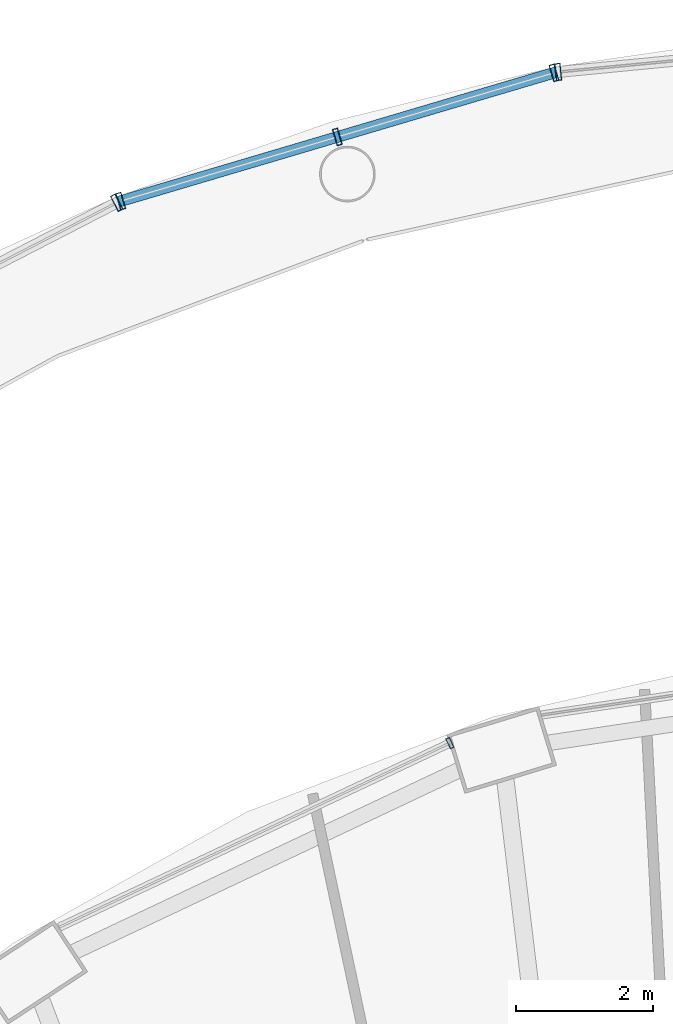
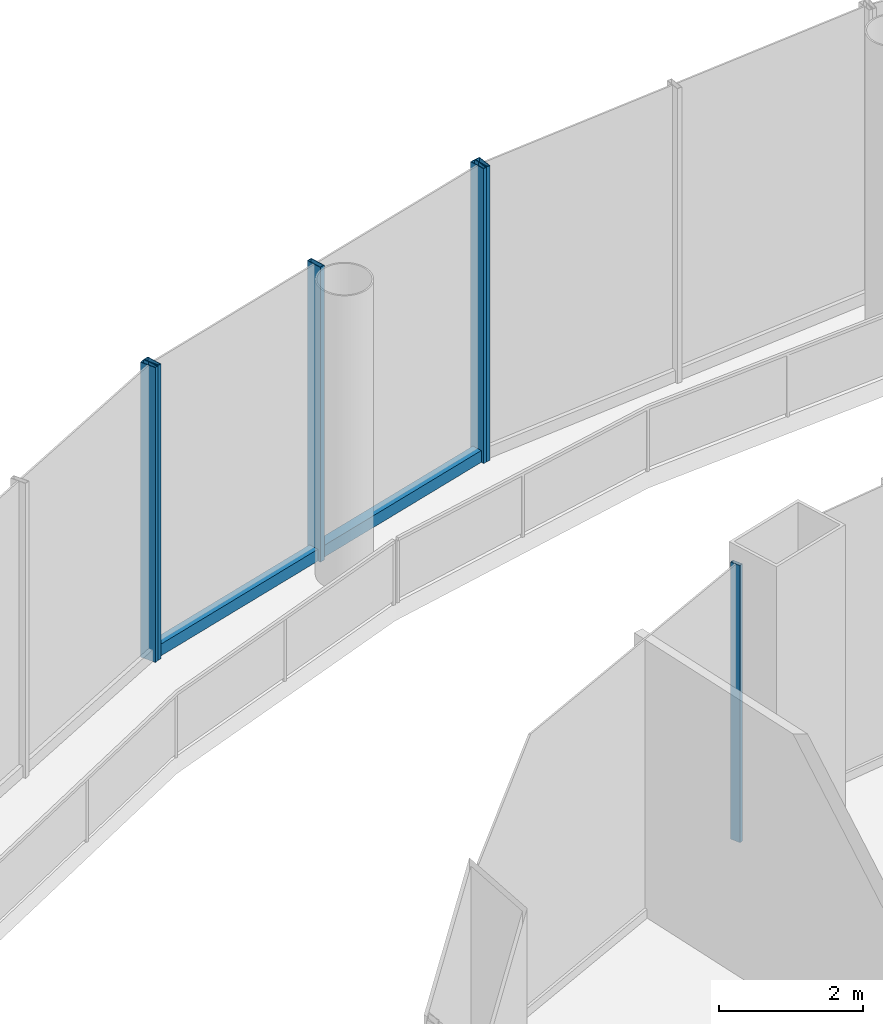
# One storey, part 32 of 47: 7 members, 4 elements without a shape of their own.
"""IFC4 building model written with IfcOpenShell, lengths in metres."""

from ifc_helpers import new_model, si_unit, direction, frame, origin, origin_2d, place, context, subcontext, project, spatial, hollow_rectangle, extrude, material, layer, layer_set, material_profile, profile_set, type_object, element, aggregate, save


model = new_model("IFC4")

# Units and contexts
model_context = context("Model", 3, precision=1e-05, world=origin(), true_north=direction((0.0, 1.0)))
body_context = subcontext(model_context, "Body", "Model", "MODEL_VIEW")
ifc_project = project(units=[si_unit("LENGTHUNIT", "METRE"), si_unit("AREAUNIT", "SQUARE_METRE"), si_unit("VOLUMEUNIT", "CUBIC_METRE"), si_unit("PLANEANGLEUNIT", "RADIAN"), si_unit("MASSUNIT", "GRAM", prefix="KILO")], contexts=[model_context])

# Site, building, storey
site_placement = place(None, origin())
site = spatial("IfcSite", under=ifc_project, at=site_placement, CompositionType="ELEMENT")
building_placement = place(site_placement, origin())
building = spatial("IfcBuilding", under=site, at=building_placement, Name="Nagisa Residences", CompositionType="ELEMENT")
storey_placement = place(building_placement, frame((0.0, 0.0, 7.0)))
storey = spatial("IfcBuildingStorey", under=building, at=storey_placement, Name="L01", CompositionType="ELEMENT", Elevation=7.0)

# Curtain wall, member
ifc_material_1 = material(Name="Stainless steel curtain wall system", Category="steel")
ifc_layer_1 = layer(ifc_material_1, 0.159912109375)
ifc_layer_set_1 = layer_set([ifc_layer_1], Name="CW3 CURTAIN WALL")
curtain_wall_type_1 = type_object("IfcCurtainWallType", Name="CW3 CURTAIN WALL", PredefinedType="NOTDEFINED", material=ifc_layer_set_1)
curtain_wall_1_placement = place(storey_placement, origin())
curtain_wall_1 = element("IfcCurtainWall", 1, at=curtain_wall_1_placement, inside=storey, type_object=curtain_wall_type_1, Name="cw:CW3:L01:09", PredefinedType="NOTDEFINED")
ifc_material_2 = material(Name="Stainless steel", Category="steel")
ifc_material_profile_1 = material_profile(ifc_material_2, hollow_rectangle(XDim=0.25, YDim=0.080078125, WallThickness=0.008056640625, at=origin_2d()), Name="CW3 MULLION 250x80")
ifc_profile_set_1 = profile_set([ifc_material_profile_1], Name="Stainless steel")
member_type_1 = type_object("IfcMemberType", Name="CW3 MULLION 250x80", PredefinedType="MULLION", material=ifc_profile_set_1)
member_1_placement = place(storey_placement, frame((-2.951171875, 41.2861328125, 0.0), z_axis=(0.0, 0.0, 1.0), x_axis=(0.096249055035, -0.995357282289, 0.0)))
member_1 = element("IfcMember", 2, at=member_1_placement, type_object=member_type_1, Name="CW3 mullion", PredefinedType="MULLION", context=body_context, shape_type="SweptSolid", body=[
    extrude(hollow_rectangle(XDim=0.25, YDim=0.080078125, WallThickness=0.008056640625, at=origin_2d()), origin(), (0.0, 0.0, 1.0), 5.0),
])
aggregate(curtain_wall_1, [member_1])

# Curtain wall, members
curtain_wall_2_placement = place(storey_placement, origin())
curtain_wall_2 = element("IfcCurtainWall", 3, at=curtain_wall_2_placement, inside=storey, type_object=curtain_wall_type_1, Name="cw:CW3:L01:10", PredefinedType="NOTDEFINED")
member_2_placement = place(storey_placement, frame((-3.01416015625, 41.27392578125, 0.0), z_axis=(0.0, 0.0, 1.0), x_axis=(0.283963226669, -0.958835171393, 0.0)))
member_2 = element("IfcMember", 4, at=member_2_placement, type_object=member_type_1, Name="CW3 mullion", PredefinedType="MULLION", context=body_context, shape_type="SweptSolid", body=[
    extrude(hollow_rectangle(XDim=0.25, YDim=0.080078125, WallThickness=0.008056640625, at=origin_2d()), origin(), (0.0, 0.0, 1.0), 5.0),
])
member_3_placement = place(storey_placement, frame((-6.175048828125, 40.337890625, 0.0), z_axis=(0.0, 0.0, 1.0), x_axis=(0.283963226669, -0.958835171393, 0.0)))
member_3 = element("IfcMember", 5, at=member_3_placement, type_object=member_type_1, Name="CW3 mullion", PredefinedType="MULLION", context=body_context, shape_type="SweptSolid", body=[
    extrude(hollow_rectangle(XDim=0.25, YDim=0.080078125, WallThickness=0.008056640625, at=origin_2d()), origin(), (0.0, 0.0, 1.0), 5.0),
])
member_4_placement = place(storey_placement, frame((-9.335693359375, 39.40185546875, 0.0), z_axis=(0.0, 0.0, 1.0), x_axis=(0.283963226669, -0.958835171393, 0.0)))
member_4 = element("IfcMember", 6, at=member_4_placement, type_object=member_type_1, Name="CW3 mullion", PredefinedType="MULLION", context=body_context, shape_type="SweptSolid", body=[
    extrude(hollow_rectangle(XDim=0.25, YDim=0.080078125, WallThickness=0.008056640625, at=origin_2d()), origin(), (0.0, 0.0, 1.0), 5.0),
])

# Curtain wall, member
curtain_wall_3_placement = place(storey_placement, origin())
curtain_wall_3 = element("IfcCurtainWall", 7, at=curtain_wall_3_placement, inside=storey, type_object=curtain_wall_type_1, Name="cw:CW3:L01:11", PredefinedType="NOTDEFINED")
member_5_placement = place(storey_placement, frame((-9.395751953125, 39.377685546875, 0.0), z_axis=(0.0, 0.0, 1.0), x_axis=(0.45812598783, -0.888887270285, 0.0)))
member_5 = element("IfcMember", 8, at=member_5_placement, type_object=member_type_1, Name="CW3 mullion", PredefinedType="MULLION", context=body_context, shape_type="SweptSolid", body=[
    extrude(hollow_rectangle(XDim=0.25, YDim=0.080078125, WallThickness=0.008056640625, at=origin_2d()), origin(), (0.0, 0.0, 1.0), 5.0),
])
aggregate(curtain_wall_3, [member_5])

# Member
ifc_material_3 = material(Name="Stainless steel", Category="steel")
ifc_material_profile_2 = material_profile(ifc_material_3, hollow_rectangle(XDim=0.159912109375, YDim=0.199951171875, WallThickness=0.008056640625, at=origin_2d()), Name="CW3 TRANSOM 160x200")
ifc_profile_set_2 = profile_set([ifc_material_profile_2], Name="Stainless steel")
member_type_2 = type_object("IfcMemberType", Name="CW3 TRANSOM 160x200", PredefinedType="USERDEFINED", material=ifc_profile_set_2)
member_6_placement = place(storey_placement, frame((-2.975830078125, 41.28515625, 0.10009765625), z_axis=(-0.958838335071, -0.283952543919, 0.0), x_axis=(0.283952543919, -0.958838335071, 0.0)))
member_6 = element("IfcMember", 9, at=member_6_placement, type_object=member_type_2, Name="CW3 transom", ObjectType="TRANSOM", PredefinedType="USERDEFINED", context=body_context, shape_type="SweptSolid", body=[
    extrude(hollow_rectangle(XDim=0.159912109375, YDim=0.199951171875, WallThickness=0.008056640625, at=origin_2d()), origin(), (0.0, 0.0, 1.0), 6.6728515625),
])

aggregate(curtain_wall_2, [member_2, member_3, member_4, member_6])

# Curtain wall, member
ifc_material_4 = material(Name="Stainless steel curtain wall system", Category="steel")
ifc_layer_2 = layer(ifc_material_4, 0.159912109375)
ifc_layer_set_2 = layer_set([ifc_layer_2], Name="CW6 CURTAIN WALL")
curtain_wall_type_2 = type_object("IfcCurtainWallType", Name="CW6 CURTAIN WALL", PredefinedType="NOTDEFINED", material=ifc_layer_set_2)
curtain_wall_4_placement = place(storey_placement, origin())
curtain_wall_4 = element("IfcCurtainWall", 10, at=curtain_wall_4_placement, inside=storey, type_object=curtain_wall_type_2, Name="cw:CW6:L01:14", PredefinedType="NOTDEFINED")
ifc_material_5 = material(Name="Stainless steel", Category="steel")
ifc_material_profile_3 = material_profile(ifc_material_5, hollow_rectangle(XDim=0.159912109375, YDim=0.06005859375, WallThickness=0.006103515625, at=origin_2d()), Name="CW6 MULLION 160x60")
ifc_profile_set_3 = profile_set([ifc_material_profile_3], Name="Stainless steel")
member_type_3 = type_object("IfcMemberType", Name="CW6 MULLION 160x60", PredefinedType="MULLION", material=ifc_profile_set_3)
member_7_placement = place(storey_placement, frame((-4.531982421875, 31.491943359375, 0.0), z_axis=(0.0, 0.0, 1.0), x_axis=(0.426358467603, -0.904554286432, 0.0)))
member_7 = element("IfcMember", 11, at=member_7_placement, type_object=member_type_3, Name="CW6 mullion", PredefinedType="MULLION", context=body_context, shape_type="SweptSolid", body=[
    extrude(hollow_rectangle(XDim=0.159912109375, YDim=0.06005859375, WallThickness=0.006103515625, at=origin_2d()), origin(), (0.0, 0.0, 1.0), 4.699951171875),
])
aggregate(curtain_wall_4, [member_7])

save(model, "model.ifc")
